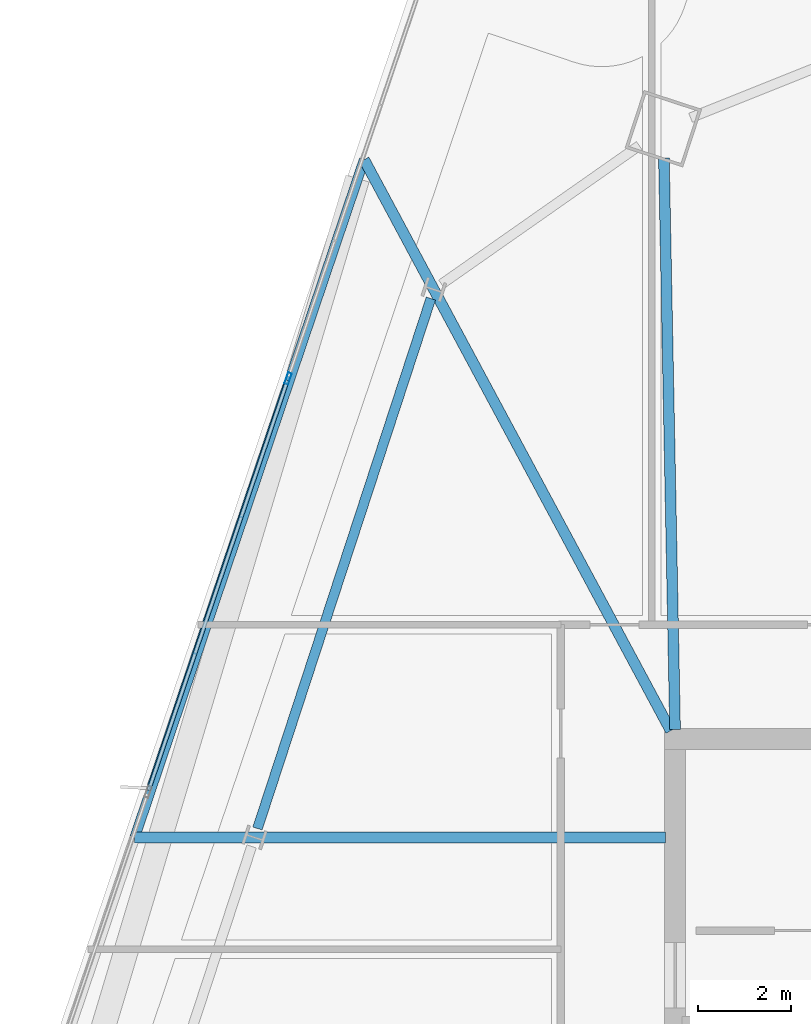
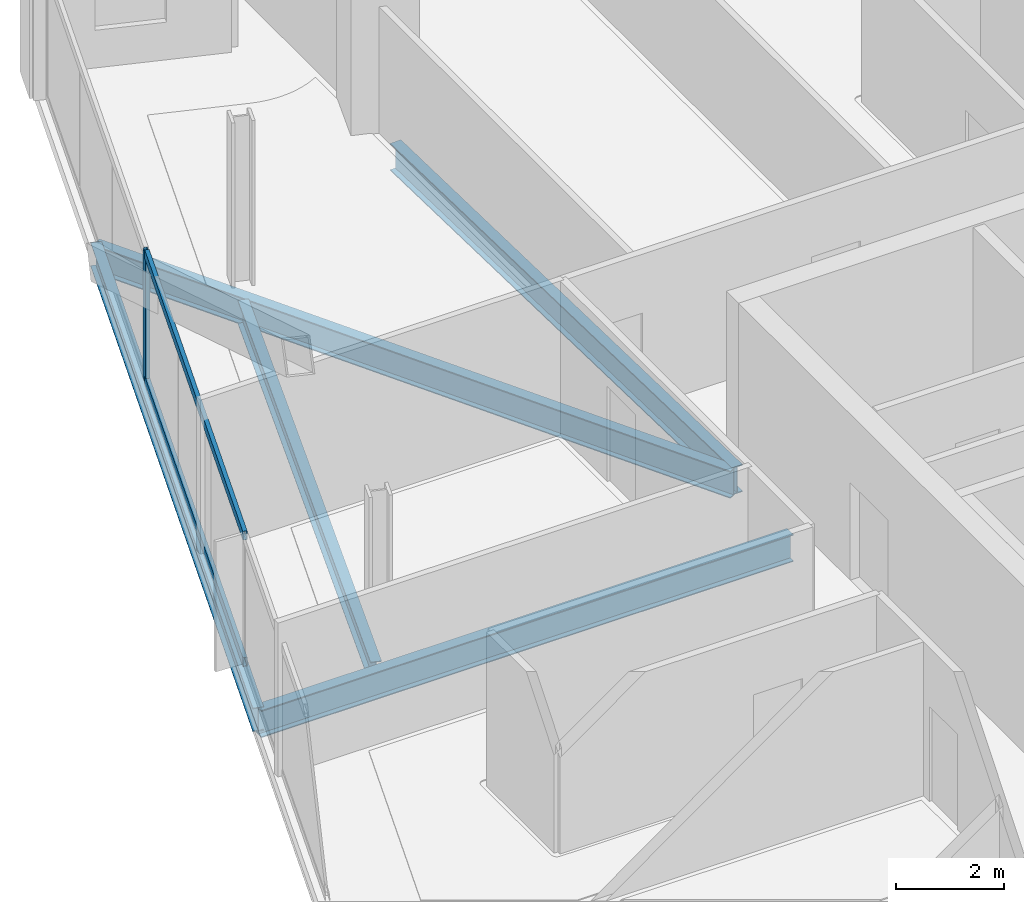
# One storey, part 14 of 29: 5 beams, 3 members, 1 element without a shape of its own.
"""IFC4 building model written with IfcOpenShell, lengths in metres."""

import ifcopenshell
import ifcopenshell.guid

model = None  # the IFC model being written
_history = None  # IfcOwnerHistory: only IFC2X3 demands one
_inside = {}  # id of a spatial element -> (the spatial element, [elements in it])
_under = {}  # id of a project, library or spatial element -> (it, [spatial elements below it])
_declared = {}  # id of a project -> (the project, [libraries it declares])
_typed = {}  # id of a type object -> (the type object, [elements of that type])
_made_of = {}  # id of a material, layer set ... -> (it, [elements and type objects made of it])


def new_model(schema):
    """Start an empty IFC model of exactly this schema.

    Asked for "IFC4X3", IfcOpenShell would pick the latest addendum, in which some entities
    have other attributes; the version numbers below select the first issue.
    IFC2X3 requires an IfcOwnerHistory on every rooted entity: one is made here for all.
    """
    global model, _history
    if schema == "IFC4X3":
        model = ifcopenshell.file(schema_version=(4, 3, 0, 0))
    else:
        model = ifcopenshell.file(schema=schema)
    _inside.clear()
    _under.clear()
    _declared.clear()
    _typed.clear()
    _made_of.clear()
    _history = None
    if model.schema == "IFC2X3":
        org = make("IfcOrganization", Name="unknown")
        user = make(
            "IfcPersonAndOrganization",
            ThePerson=make("IfcPerson", FamilyName="unknown"),
            TheOrganization=org,
        )
        app = make(
            "IfcApplication",
            ApplicationDeveloper=org,
            Version="unknown",
            ApplicationFullName="unknown",
            ApplicationIdentifier="unknown",
        )
        _history = make(
            "IfcOwnerHistory",
            OwningUser=user,
            OwningApplication=app,
            ChangeAction="ADDED",
            CreationDate=0,
        )
    return model


def make(cls, **values):
    """One entity of the class cls with the attributes given. An attribute that is None is left unset."""
    return model.create_entity(
        cls, **{name: value for name, value in values.items() if value is not None}
    )


def rooted(cls, **values):
    """An entity with a GlobalId (a new one), such as an element, a storey or a relation."""
    return make(cls, GlobalId=ifcopenshell.guid.new(), OwnerHistory=_history, **values)


def si_unit(unit_type, name, prefix=None):
    """IfcSIUnit, for example si_unit("LENGTHUNIT", "METRE", prefix="MILLI")."""
    return make("IfcSIUnit", UnitType=unit_type, Prefix=prefix, Name=name)


def assignment(units):
    """IfcUnitAssignment: the units of a project."""
    return None if units is None else make("IfcUnitAssignment", Units=units)


def point(xyz):
    """IfcCartesianPoint."""
    return None if xyz is None else make("IfcCartesianPoint", Coordinates=xyz)


def direction(xyz):
    """IfcDirection."""
    return None if xyz is None else make("IfcDirection", DirectionRatios=xyz)


def frame(location, z_axis=None, x_axis=None):
    """IfcAxis2Placement3D, a coordinate frame: its origin and axes. An axis left out is left unset."""
    return make(
        "IfcAxis2Placement3D",
        Location=point(location),
        Axis=direction(z_axis),
        RefDirection=direction(x_axis),
    )


def frame_2d(location, x_axis=None):
    """IfcAxis2Placement2D, a coordinate frame in the plane: its origin and x axis."""
    return make(
        "IfcAxis2Placement2D", Location=point(location), RefDirection=direction(x_axis)
    )


def origin():
    """The frame at (0, 0, 0) with its axes left unset."""
    return frame((0.0, 0.0, 0.0))


def origin_2d():
    """The frame at (0, 0) in the plane with its x axis left unset."""
    return frame_2d((0.0, 0.0))


def place(relative_to, where):
    """IfcLocalPlacement: puts the frame where relative to a parent placement (None: the world)."""
    return make(
        "IfcLocalPlacement", PlacementRelTo=relative_to, RelativePlacement=where
    )


def context(
    kind, dimensions, precision=None, world=None, true_north=None, identifier=None
):
    """IfcGeometricRepresentationContext, for example the 3D "Model" context."""
    return make(
        "IfcGeometricRepresentationContext",
        ContextIdentifier=identifier,
        ContextType=kind,
        CoordinateSpaceDimension=dimensions,
        Precision=precision,
        WorldCoordinateSystem=world,
        TrueNorth=true_north,
    )


def subcontext(parent, identifier, kind, view, scale=None):
    """IfcGeometricRepresentationSubContext, for example "Body" below "Model"."""
    return make(
        "IfcGeometricRepresentationSubContext",
        ContextIdentifier=identifier,
        ContextType=kind,
        ParentContext=parent,
        TargetScale=scale,
        TargetView=view,
    )


def project(units=None, contexts=None):
    """IfcProject with its units and contexts."""
    return rooted(
        "IfcProject",
        Name="project",
        RepresentationContexts=contexts,
        UnitsInContext=assignment(units),
    )


def spatial(cls, under=None, at=None, **own):
    """A site, building, storey or space (cls), placed at a placement, below another one or the project."""
    s = rooted(cls, ObjectPlacement=at, **own)
    if under is not None:
        _under.setdefault(under.id(), (under, []))[1].append(s)
    return s


def profile(cls, at=None, kind="AREA", **sizes):
    """A parametric profile (cls). Its sizes go by their IFC names, for example OverallWidth=200.0."""
    return make(cls, ProfileType=kind, Position=at, **sizes)


def hollow_rectangle(**sizes):
    """IfcRectangleHollowProfileDef."""
    return profile("IfcRectangleHollowProfileDef", **sizes)


def i_section(**sizes):
    """IfcIShapeProfileDef."""
    return profile("IfcIShapeProfileDef", **sizes)


def extrude(swept, where, along, depth):
    """IfcExtrudedAreaSolid: the profile swept, set in the frame where, extruded along a direction by depth."""
    return make(
        "IfcExtrudedAreaSolid",
        SweptArea=swept,
        Position=where,
        ExtrudedDirection=direction(along),
        Depth=depth,
    )


def shape(context_of_items, identifier, shape_type, items):
    """IfcShapeRepresentation: the items that make up one representation, for example the "Body"."""
    return make(
        "IfcShapeRepresentation",
        ContextOfItems=context_of_items,
        RepresentationIdentifier=identifier,
        RepresentationType=shape_type,
        Items=items,
    )


def material(Name=None, Category=None):
    """IfcMaterial."""
    return make("IfcMaterial", Name=Name, Category=Category)


def material_profile(
    of_material, cross_section, Name=None, Category=None, Priority=None
):
    """IfcMaterialProfile: a cross section and its material."""
    return make(
        "IfcMaterialProfile",
        Name=Name,
        Material=of_material,
        Profile=cross_section,
        Priority=Priority,
        Category=Category,
    )


def profile_set(profiles, Name=None, composite=None):
    """IfcMaterialProfileSet."""
    return make(
        "IfcMaterialProfileSet",
        Name=Name,
        MaterialProfiles=profiles,
        CompositeProfile=composite,
    )


def made_of(thing, what):
    """Note that an element or type object is made of a material, layer set ...; save() writes the relation."""
    if what is not None:
        _made_of.setdefault(what.id(), (what, []))[1].append(thing)
    return thing


def type_object(cls, material=None, **own):
    """A type object (cls), such as IfcWallType, which elements share."""
    return made_of(rooted(cls, **own), material)


def element(
    cls,
    number,
    at=None,
    inside=None,
    cuts=None,
    type_object=None,
    material=None,
    context=None,
    identifier="Body",
    shape_type=None,
    held_by="IfcProductDefinitionShape",
    body=None,
    shapes=None,
    **own,
):
    """One element of the class cls, such as IfcWall. Its Tag is "e" and its number.

    at: its placement. inside: the storey or other place that contains it. cuts: it is an
    opening in that element (IfcRelVoidsElement). A single representation is given by context,
    identifier, shape_type and body (its items); several are given by shapes. held_by: the class
    of the entity that holds the representations. save() writes the other relations.
    """
    e = rooted(cls, Tag="e%d" % number, ObjectPlacement=at, **own)
    if body is not None:
        shapes = [shape(context, identifier, shape_type, body)]
    if shapes is not None:
        e.Representation = make(held_by, Representations=shapes)
    if inside is not None:
        _inside.setdefault(inside.id(), (inside, []))[1].append(e)
    if cuts is not None:
        rooted(
            "IfcRelVoidsElement", RelatingBuildingElement=cuts, RelatedOpeningElement=e
        )
    if type_object is not None:
        _typed.setdefault(type_object.id(), (type_object, []))[1].append(e)
    return made_of(e, material)


def aggregate(whole, parts):
    """IfcRelAggregates: a whole, such as a stair, and the parts it consists of."""
    return rooted("IfcRelAggregates", RelatingObject=whole, RelatedObjects=parts)


def save(model, path):
    """Write the relations noted so far, then the file.

    IfcRelAggregates (storeys below a building ...), IfcRelContainedInSpatialStructure (elements
    in a storey), IfcRelDefinesByType, IfcRelAssociatesMaterial and IfcRelDeclares: one each for
    every whole, place, type object, material and project.
    """
    for whole, parts in _under.values():
        aggregate(whole, parts)
    for where, things in _inside.values():
        rooted(
            "IfcRelContainedInSpatialStructure",
            RelatedElements=things,
            RelatingStructure=where,
        )
    for kind, things in _typed.values():
        rooted("IfcRelDefinesByType", RelatedObjects=things, RelatingType=kind)
    for what, things in _made_of.values():
        rooted("IfcRelAssociatesMaterial", RelatedObjects=things, RelatingMaterial=what)
    for by, libraries in _declared.values():
        rooted("IfcRelDeclares", RelatingContext=by, RelatedDefinitions=libraries)
    model.write(path)


model = new_model("IFC4")

# Units and contexts
model_context = context("Model", 3, precision=1e-05, world=origin(), true_north=direction((0.0, 1.0)))
body_context = subcontext(model_context, "Body", "Model", "MODEL_VIEW")
ifc_project = project(units=[si_unit("LENGTHUNIT", "METRE"), si_unit("AREAUNIT", "SQUARE_METRE"), si_unit("VOLUMEUNIT", "CUBIC_METRE"), si_unit("PLANEANGLEUNIT", "RADIAN"), si_unit("MASSUNIT", "GRAM", prefix="KILO")], contexts=[model_context])

# Site, building, storey
site_placement = place(None, origin())
site = spatial("IfcSite", under=ifc_project, at=site_placement, CompositionType="ELEMENT")
building_placement = place(site_placement, origin())
building = spatial("IfcBuilding", under=site, at=building_placement, Name="Haldenkirk Collegiate Tower", CompositionType="ELEMENT")
storey_placement = place(building_placement, frame((0.0, 0.0, 267.449951171875)))
storey = spatial("IfcBuildingStorey", under=building, at=storey_placement, Name="L67", CompositionType="ELEMENT", Elevation=267.449951171875)

# Beams
ifc_material_1 = material(Name="Steel ASTM A992 Grade 50", Category="steel")
ifc_material_profile_1 = material_profile(ifc_material_1, i_section(OverallWidth=0.22998046875, OverallDepth=0.616943359375, WebThickness=0.01318359375, FlangeThickness=0.022216796875, at=origin_2d()), Name="W24X94")
ifc_profile_set_1 = profile_set([ifc_material_profile_1], Name="Steel ASTM A992 Grade 50")
beam_type_1 = type_object("IfcBeamType", Name="BM-GIRDER-W24X94", PredefinedType="BEAM", material=ifc_profile_set_1)
beam_1_placement = place(storey_placement, frame((26.75732421875, 46.443603515625, -0.578369140625), z_axis=(0.019505953171, -0.999809740796, 0.0), x_axis=(0.999809740796, 0.019505953171, 0.0)))
element("IfcBeam", 1, at=beam_1_placement, inside=storey, type_object=beam_type_1, Name="L67 primary floor girder 03", PredefinedType="BEAM", context=body_context, shape_type="SweptSolid", body=[
    extrude(i_section(OverallWidth=0.22998046875, OverallDepth=0.616943359375, WebThickness=0.01318359375, FlangeThickness=0.022216796875, at=origin_2d()), origin(), (0.0, 0.0, 1.0), 12.240966796875),
])
beam_2_placement = place(storey_placement, frame((20.3369140625, 46.410400390625, -0.578369140625), z_axis=(0.473033858551, -0.881044248982, 0.0), x_axis=(0.881044248982, 0.473033858551, 0.0)))
element("IfcBeam", 2, at=beam_2_placement, inside=storey, type_object=beam_type_1, Name="L67 primary floor girder 11", PredefinedType="BEAM", context=body_context, shape_type="SweptSolid", body=[
    extrude(i_section(OverallWidth=0.22998046875, OverallDepth=0.616943359375, WebThickness=0.01318359375, FlangeThickness=0.022216796875, at=origin_2d()), origin(), (0.0, 0.0, 1.0), 13.880859375),
])
beam_3_placement = place(storey_placement, frame((15.42333984375, 31.8935546875, -0.578369140625), z_axis=(1.0, 0.0, 0.0), x_axis=(0.0, 1.0, 0.0)))
element("IfcBeam", 3, at=beam_3_placement, inside=storey, type_object=beam_type_1, Name="L67 primary floor girder 12", PredefinedType="BEAM", context=body_context, shape_type="SweptSolid", body=[
    extrude(i_section(OverallWidth=0.22998046875, OverallDepth=0.616943359375, WebThickness=0.01318359375, FlangeThickness=0.022216796875, at=origin_2d()), origin(), (0.0, 0.0, 1.0), 11.37158203125),
])
ifc_material_profile_2 = material_profile(ifc_material_1, i_section(OverallWidth=0.2099609375, OverallDepth=0.537109375, WebThickness=0.010986328125, FlangeThickness=0.017333984375, at=origin_2d()), Name="W21X68")
ifc_profile_set_2 = profile_set([ifc_material_profile_2], Name="Steel ASTM A992 Grade 50")
beam_type_2 = type_object("IfcBeamType", Name="BM-SPANDREL-W21X68", PredefinedType="SPANDREL", material=ifc_profile_set_2)
beam_4_placement = place(storey_placement, frame((21.76708984375, 43.436767578125, -0.538330078125), z_axis=(-0.311010188249, -0.950406577631, 0.0), x_axis=(0.950406577631, -0.311010188249, 0.0)))
element("IfcBeam", 4, at=beam_4_placement, inside=storey, type_object=beam_type_2, Name="L67 perimeter spandrel beam 10", PredefinedType="SPANDREL", context=body_context, shape_type="SweptSolid", body=[
    extrude(i_section(OverallWidth=0.2099609375, OverallDepth=0.537109375, WebThickness=0.010986328125, FlangeThickness=0.017333984375, at=origin_2d()), origin(), (0.0, 0.0, 1.0), 11.94287109375),
])
beam_5_placement = place(storey_placement, frame((20.3369140625, 46.410400390625, -0.538330078125), z_axis=(-0.32060672888, -0.947212397193, 0.0), x_axis=(0.947212397193, -0.32060672888, 0.0)))
element("IfcBeam", 5, at=beam_5_placement, inside=storey, type_object=beam_type_2, Name="L67 outer facade edge beam 3A", PredefinedType="SPANDREL", context=body_context, shape_type="SweptSolid", body=[
    extrude(i_section(OverallWidth=0.2099609375, OverallDepth=0.537109375, WebThickness=0.010986328125, FlangeThickness=0.017333984375, at=origin_2d()), origin(), (0.0, 0.0, 1.0), 15.325927734375),
])

# Curtain wall, members
ifc_material_2 = material(Name="Anodised architectural bronze aluminium", Category="aluminium")
curtain_wall_type = type_object("IfcCurtainWallType", Name="CW-SYS1B-CONVEX-HI", PredefinedType="USERDEFINED", material=ifc_material_2)
curtain_wall_placement = place(storey_placement, origin())
curtain_wall = element("IfcCurtainWall", 6, at=curtain_wall_placement, inside=storey, type_object=curtain_wall_type, Name="L67 Upper tower high-wind convex bronze unitised curtain wall", ObjectType="UNITISED CURTAIN WALL", PredefinedType="USERDEFINED")
ifc_material_profile_3 = material_profile(ifc_material_2, hollow_rectangle(XDim=0.0849609375, YDim=0.25, WallThickness=0.0048828125, at=origin_2d()), Name="CW-MUL-1B")
ifc_profile_set_3 = profile_set([ifc_material_profile_3], Name="Anodised architectural bronze aluminium")
member_type_1 = type_object("IfcMemberType", Name="CW-MUL-1B", PredefinedType="MULLION", material=ifc_profile_set_3)
member_1_placement = place(storey_placement, frame((18.70849609375, 41.723876953125, 0.0), z_axis=(0.0, 0.0, 1.0), x_axis=(-0.947210585512, 0.320612081329, 0.0)))
member_1 = element("IfcMember", 7, at=member_1_placement, type_object=member_type_1, Name="CW-1B mullion 4", PredefinedType="MULLION", context=body_context, shape_type="SweptSolid", body=[
    extrude(hollow_rectangle(XDim=0.0849609375, YDim=0.25, WallThickness=0.0048828125, at=origin_2d()), origin(), (0.0, 0.0, 1.0), 2.93798828125),
])
ifc_material_profile_4 = material_profile(ifc_material_2, hollow_rectangle(XDim=0.0849609375, YDim=0.199951171875, WallThickness=0.0048828125, at=origin_2d()), Name="CW-TRN-1B")
ifc_profile_set_4 = profile_set([ifc_material_profile_4], Name="Anodised architectural bronze aluminium")
member_type_2 = type_object("IfcMemberType", Name="CW-TRN-1B", PredefinedType="USERDEFINED", material=ifc_profile_set_4)
member_2_placement = place(storey_placement, frame((15.724365234375, 32.90771484375, 0.04248046875), z_axis=(0.320603812473, 0.947213384316, 0.0), x_axis=(-0.947213384316, 0.320603812473, 0.0)))
member_2 = element("IfcMember", 8, at=member_2_placement, type_object=member_type_2, Name="CW-1B transom 3.1", ObjectType="TRANSOM", PredefinedType="USERDEFINED", context=body_context, shape_type="SweptSolid", body=[
    extrude(hollow_rectangle(XDim=0.0849609375, YDim=0.199951171875, WallThickness=0.0048828125, at=origin_2d()), origin(), (0.0, 0.0, 1.0), 9.26513671875),
])
member_3_placement = place(storey_placement, frame((15.724365234375, 32.90771484375, 2.8955078125), z_axis=(0.320603812473, 0.947213384316, 0.0), x_axis=(-0.947213384316, 0.320603812473, 0.0)))
member_3 = element("IfcMember", 9, at=member_3_placement, type_object=member_type_2, Name="CW-1B transom 3.2", ObjectType="TRANSOM", PredefinedType="USERDEFINED", context=body_context, shape_type="SweptSolid", body=[
    extrude(hollow_rectangle(XDim=0.0849609375, YDim=0.199951171875, WallThickness=0.0048828125, at=origin_2d()), origin(), (0.0, 0.0, 1.0), 9.26513671875),
])
aggregate(curtain_wall, [member_1, member_2, member_3])

save(model, "model.ifc")
